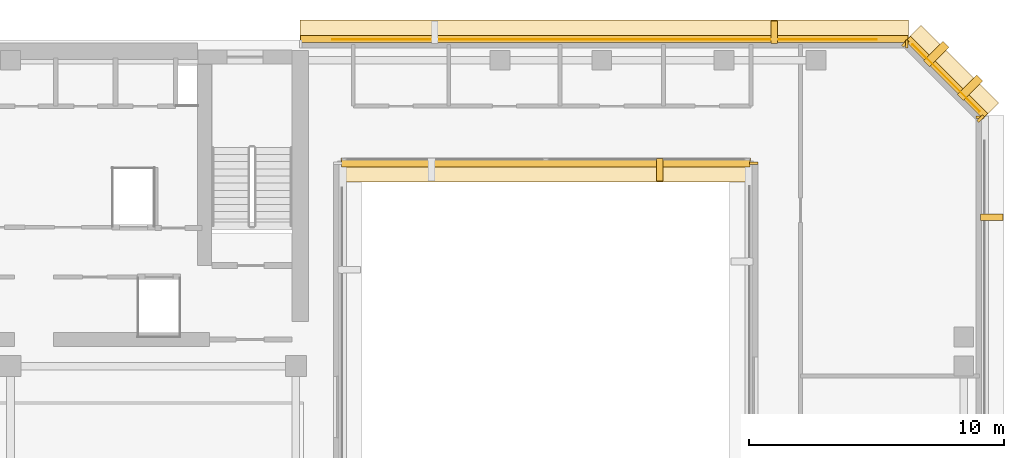
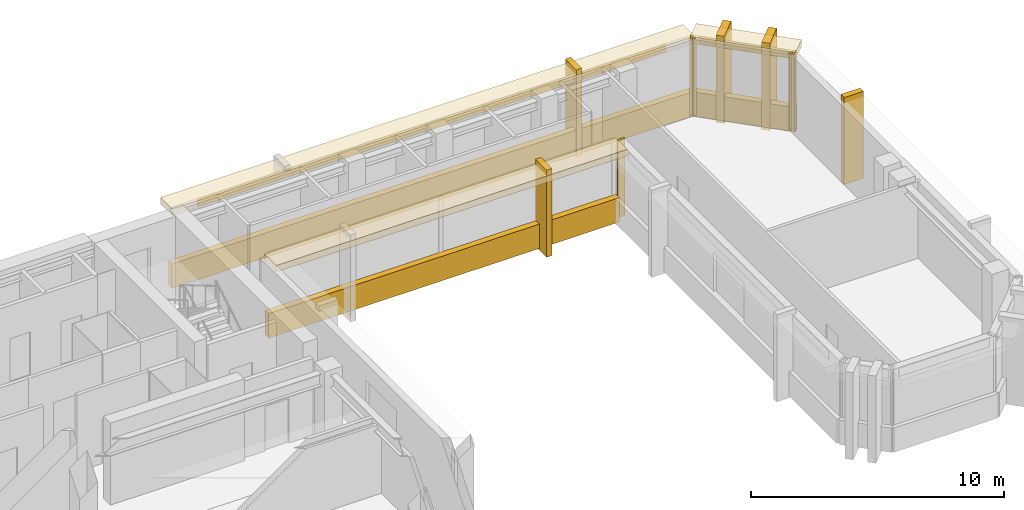
# One storey, part 12 of 12: 18 coverings.
"""IFC4 building model written with IfcOpenShell, lengths in metres."""

from ifc_helpers import new_model, si_unit, direction, frame, origin, origin_2d, place, context, subcontext, project, spatial, rectangle, extrude, material, layer, layer_set, type_object, element, save


model = new_model("IFC4")

# Units and contexts
model_context = context("Model", 3, precision=1e-05, world=origin(), true_north=direction((0.0, 1.0)))
body_context = subcontext(model_context, "Body", "Model", "MODEL_VIEW")
ifc_project = project(units=[si_unit("LENGTHUNIT", "METRE"), si_unit("AREAUNIT", "SQUARE_METRE"), si_unit("VOLUMEUNIT", "CUBIC_METRE"), si_unit("PLANEANGLEUNIT", "RADIAN"), si_unit("MASSUNIT", "GRAM", prefix="KILO")], contexts=[model_context])

# Site, building, storey
site_placement = place(None, origin())
site = spatial("IfcSite", under=ifc_project, at=site_placement, CompositionType="ELEMENT")
building_placement = place(site_placement, origin())
building = spatial("IfcBuilding", under=site, at=building_placement, Name="Kefirva Bronze Tower", CompositionType="ELEMENT")
storey_placement = place(building_placement, frame((0.0, 0.0, 235.6201171875)))
storey = spatial("IfcBuildingStorey", under=building, at=storey_placement, Name="L57", CompositionType="ELEMENT", Elevation=235.6201171875)

# Coverings
ifc_material = material(Name="Bronze anodised aluminium", Category="aluminium")
ifc_layer_1 = layer(ifc_material, 0.02001953125, Name="Bronze anodised aluminium")
ifc_layer_set_1 = layer_set([ifc_layer_1], Name="Bronze anodised aluminium")
covering_type_1 = type_object("IfcCoveringType", Name="Anodised Bronze Spandrel Cladding 20mm", PredefinedType="CLADDING", material=ifc_layer_set_1)
covering_1_placement = place(storey_placement, frame((33.0, 41.159912109375, -0.16015625), z_axis=(0.0, 0.0, 1.0), x_axis=(1.0, 0.0, 0.0)))
element("IfcCovering", 1, at=covering_1_placement, inside=storey, type_object=covering_type_1, Name="L57 Streamline Horizontal Spandrel Band 6", PredefinedType="CLADDING", context=body_context, shape_type="SweptSolid", body=[
    extrude(rectangle(XDim=16.0400390625, YDim=0.280029296875, at=origin_2d()), origin(), (0.0, 0.0, 1.0), 1.179931640625),
])
for number, where, z_axis, x_axis, name in (
    (2, (41.159912109375, 41.1650390625, 0.0), (0.0, 0.0, 1.0), (0.0, -1.0, 0.0), "L57 Facade Joint Closure Panel 5S"),
    (3, (50.0400390625, 42.965087890625, 0.0), (0.0, 0.0, 1.0), (0.0, 1.0, 0.0), "L57 Facade Joint Closure Panel 9E"),
):
    element("IfcCovering", number, at=place(storey_placement, frame(where, z_axis=z_axis, x_axis=x_axis)), inside=storey, type_object=covering_type_1, Name=name, PredefinedType="CLADDING", context=body_context, shape_type="SweptSolid", body=[
        extrude(rectangle(XDim=0.10009765625, YDim=0.320068359375, at=origin_2d()), origin(), (0.0, 0.0, 1.0), 3.7099609375),
    ])
covering_2_placement = place(storey_placement, frame((48.70703125, 44.507080078125, 3.2900390625), z_axis=(0.0, 0.0, 1.0), x_axis=(-0.707106781187, 0.707106781187, 0.0)))
element("IfcCovering", 4, at=covering_2_placement, inside=storey, type_object=covering_type_1, Name="L57 Bronze Spandrel Cladding 10", PredefinedType="CLADDING", context=body_context, shape_type="SweptSolid", body=[
    extrude(rectangle(XDim=3.719482421875, YDim=0.02001953125, at=origin_2d()), origin(), (0.0, 0.0, 1.0), 0.39990234375),
])
for number, where, z_axis, x_axis, name in (
    (5, (50.06201171875, 42.91162109375, 0.0), (0.0, 0.0, 1.0), (-0.707106781187, 0.707106781187, 0.0), "L57 Facade Joint Closure Panel 10S"),
    (6, (47.11181640625, 45.862060546875, 0.0), (0.0, 0.0, 1.0), (-0.707106781187, 0.707106781187, 0.0), "L57 Facade Joint Closure Panel 10E"),
):
    element("IfcCovering", number, at=place(storey_placement, frame(where, z_axis=z_axis, x_axis=x_axis)), inside=storey, type_object=covering_type_1, Name=name, PredefinedType="CLADDING", context=body_context, shape_type="SweptSolid", body=[
        extrude(rectangle(XDim=0.10009765625, YDim=0.320068359375, at=origin_2d()), origin(), (0.0, 0.0, 1.0), 3.7099609375),
    ])
covering_3_placement = place(storey_placement, frame((48.728271484375, 44.5283203125, -0.16015625), z_axis=(0.0, 0.0, 1.0), x_axis=(-0.707106781187, 0.707106781187, 0.0)))
element("IfcCovering", 7, at=covering_3_placement, inside=storey, type_object=covering_type_1, Name="L57 Streamline Horizontal Spandrel Band 12", PredefinedType="CLADDING", context=body_context, shape_type="SweptSolid", body=[
    extrude(rectangle(XDim=4.28271484375, YDim=0.280029296875, at=origin_2d()), origin(), (0.0, 0.0, 1.0), 1.179931640625),
])
covering_4_placement = place(storey_placement, frame((35.302490234375, 46.010009765625, 3.2900390625), z_axis=(0.0, 0.0, 1.0), x_axis=(-1.0, 0.0, 0.0)))
element("IfcCovering", 8, at=covering_4_placement, inside=storey, type_object=covering_type_1, Name="L57 Bronze Spandrel Cladding 11", PredefinedType="CLADDING", context=body_context, shape_type="SweptSolid", body=[
    extrude(rectangle(XDim=21.365966796875, YDim=0.02001953125, at=origin_2d()), origin(), (0.0, 0.0, 1.0), 0.39990234375),
])
covering_5_placement = place(storey_placement, frame((47.1650390625, 45.840087890625, 0.0), z_axis=(0.0, 0.0, 1.0), x_axis=(-1.0, 0.0, 0.0)))
element("IfcCovering", 9, at=covering_5_placement, inside=storey, type_object=covering_type_1, Name="L57 Facade Joint Closure Panel 11S", PredefinedType="CLADDING", context=body_context, shape_type="SweptSolid", body=[
    extrude(rectangle(XDim=0.10009765625, YDim=0.320068359375, at=origin_2d()), origin(), (0.0, 0.0, 1.0), 3.7099609375),
])
covering_6_placement = place(storey_placement, frame((35.302490234375, 46.0400390625, -0.16015625), z_axis=(0.0, 0.0, 1.0), x_axis=(-1.0, 0.0, 0.0)))
element("IfcCovering", 10, at=covering_6_placement, inside=storey, type_object=covering_type_1, Name="L57 Streamline Horizontal Spandrel Band 13", PredefinedType="CLADDING", context=body_context, shape_type="SweptSolid", body=[
    extrude(rectangle(XDim=23.8349609375, YDim=0.280029296875, at=origin_2d()), origin(), (0.0, 0.0, 1.0), 1.179931640625),
])
ifc_layer_2 = layer(ifc_material, 0.179931640625, Name="Bronze anodised aluminium")
ifc_layer_set_2 = layer_set([ifc_layer_2], Name="Bronze anodised aluminium")
covering_type_2 = type_object("IfcCoveringType", Name="Streamline Bronze Sunshade Eyebrow Cladding 180mm", PredefinedType="CLADDING", material=ifc_layer_set_2)
covering_7_placement = place(storey_placement, frame((33.0, 40.889892578125, 3.3896484375), z_axis=(0.0, 0.0, 1.0), x_axis=(1.0, 0.0, 0.0)))
element("IfcCovering", 11, at=covering_7_placement, inside=storey, type_object=covering_type_2, Name="L57 Streamline Bronze Sunshade Eyebrow 6", PredefinedType="CLADDING", context=body_context, shape_type="SweptSolid", body=[
    extrude(rectangle(XDim=16.080078125, YDim=0.93994140625, at=origin_2d()), origin(), (0.0, 0.0, 1.0), 0.320068359375),
])
covering_8_placement = place(storey_placement, frame((48.919189453125, 44.71923828125, 3.3896484375), z_axis=(0.0, 0.0, 1.0), x_axis=(-0.707106781187, 0.707106781187, 0.0)))
element("IfcCovering", 12, at=covering_8_placement, inside=storey, type_object=covering_type_2, Name="L57 Streamline Bronze Sunshade Eyebrow 12", PredefinedType="CLADDING", context=body_context, shape_type="SweptSolid", body=[
    extrude(rectangle(XDim=4.322509765625, YDim=0.93994140625, at=origin_2d()), origin(), (0.0, 0.0, 1.0), 0.320068359375),
])
covering_9_placement = place(storey_placement, frame((35.302490234375, 46.31005859375, 3.3896484375), z_axis=(0.0, 0.0, 1.0), x_axis=(-1.0, 0.0, 0.0)))
element("IfcCovering", 13, at=covering_9_placement, inside=storey, type_object=covering_type_2, Name="L57 Streamline Bronze Sunshade Eyebrow 13", PredefinedType="CLADDING", context=body_context, shape_type="SweptSolid", body=[
    extrude(rectangle(XDim=23.875, YDim=0.93994140625, at=origin_2d()), origin(), (0.0, 0.0, 1.0), 0.320068359375),
])
ifc_layer_3 = layer(ifc_material, 0.260009765625, Name="Bronze anodised aluminium")
ifc_layer_set_3 = layer_set([ifc_layer_3], Name="Bronze anodised aluminium")
covering_type_3 = type_object("IfcCoveringType", Name="Unbroken Bronze Buttress Fin Cladding 260mm", PredefinedType="CLADDING", material=ifc_layer_set_3)
for number, where, z_axis, x_axis, name in (
    (14, (37.47998046875, 40.89990234375, -0.25), (0.0, 0.0, 1.0), (1.0, 0.0, 0.0), "L57 Unbroken Vertical Bronze Rib Fin 12"),
    (15, (50.5, 39.0400390625, -0.25), (0.0, 0.0, 1.0), (0.0, 1.0, 0.0), "L57 Unbroken Vertical Bronze Rib Fin 20"),
):
    element("IfcCovering", number, at=place(storey_placement, frame(where, z_axis=z_axis, x_axis=x_axis)), inside=storey, type_object=covering_type_3, Name=name, PredefinedType="CLADDING", context=body_context, shape_type="SweptSolid", body=[
        extrude(rectangle(XDim=0.260009765625, YDim=0.8798828125, at=origin_2d()), origin(), (0.0, 0.0, 1.0), 4.2099609375),
    ])
for number, where, z_axis, x_axis, name in (
    (16, (49.642822265625, 44.122802734375, -0.25), (0.0, 0.0, 1.0), (-0.707106781187, 0.707106781187, 0.0), "L57 Chamfered Corner Buttress Fin Cladding 21"),
    (17, (48.32275390625, 45.44287109375, -0.25), (0.0, 0.0, 1.0), (-0.707106781187, 0.707106781187, 0.0), "L57 Chamfered Corner Buttress Fin Cladding 22"),
):
    element("IfcCovering", number, at=place(storey_placement, frame(where, z_axis=z_axis, x_axis=x_axis)), inside=storey, type_object=covering_type_3, Name=name, PredefinedType="CLADDING", context=body_context, shape_type="SweptSolid", body=[
        extrude(rectangle(XDim=0.340087890625, YDim=1.080078125, at=origin_2d()), origin(), (0.0, 0.0, 1.0), 4.2099609375),
    ])
covering_10_placement = place(storey_placement, frame((41.965087890625, 46.300048828125, -0.25), z_axis=(0.0, 0.0, 1.0), x_axis=(-1.0, 0.0, 0.0)))
element("IfcCovering", 18, at=covering_10_placement, inside=storey, type_object=covering_type_3, Name="L57 Unbroken Vertical Bronze Rib Fin 23", PredefinedType="CLADDING", context=body_context, shape_type="SweptSolid", body=[
    extrude(rectangle(XDim=0.260009765625, YDim=0.8798828125, at=origin_2d()), origin(), (0.0, 0.0, 1.0), 4.2099609375),
])

save(model, "model.ifc")
